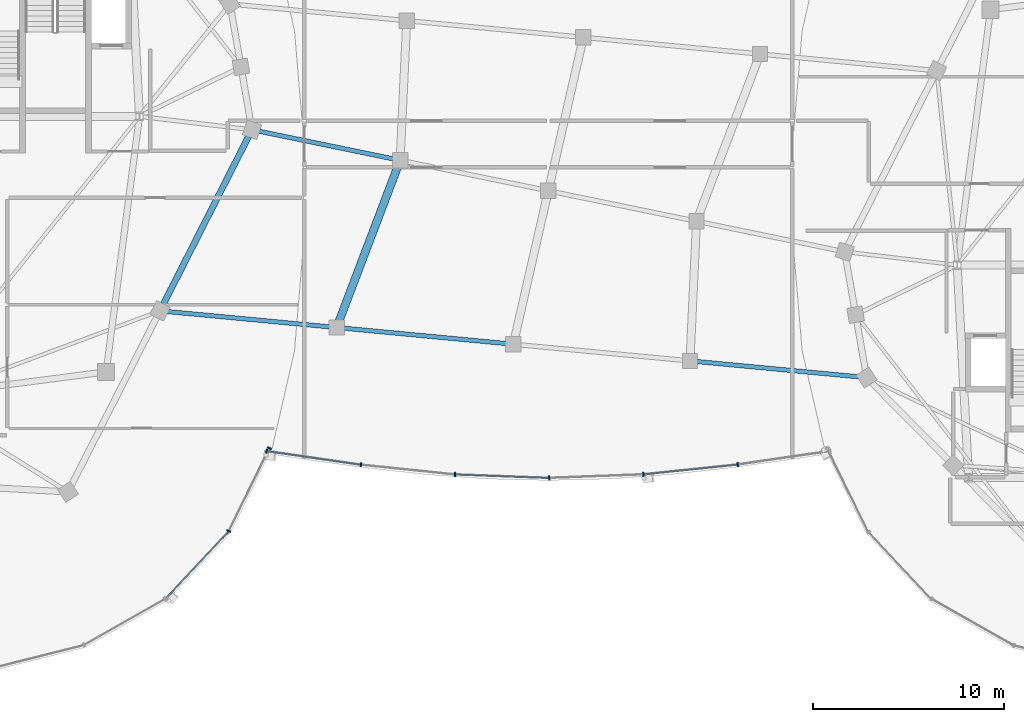
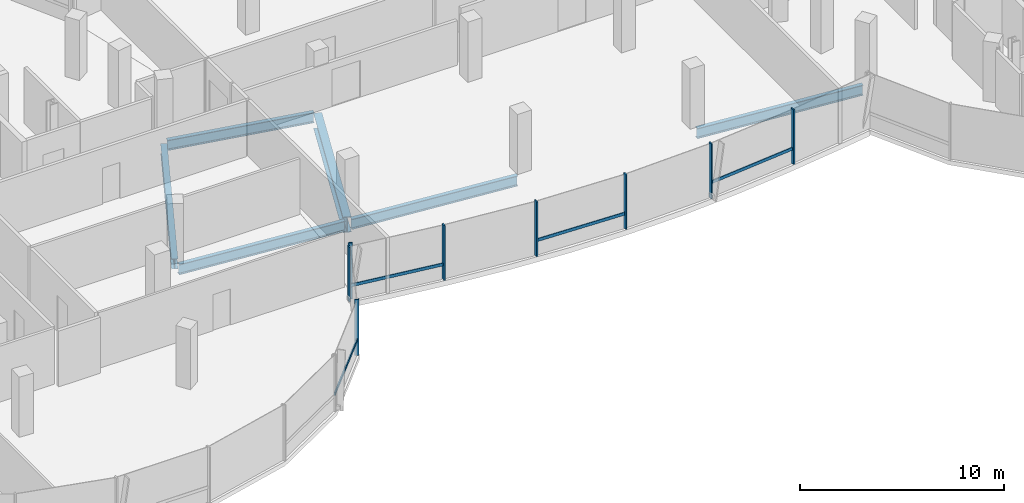
# One storey, part 4 of 25: 12 members, 6 beams, 2 elements without a shape of their own.
"""IFC4 building model written with IfcOpenShell, lengths in metres."""

from ifc_helpers import new_model, si_unit, direction, frame, origin, origin_2d, place, context, subcontext, project, spatial, rectangle, i_section, extrude, material, material_profile, profile_set, type_object, element, aggregate, save


model = new_model("IFC4")

# Units and contexts
model_context = context("Model", 3, precision=1e-05, world=origin(), true_north=direction((0.0, 1.0)))
body_context = subcontext(model_context, "Body", "Model", "MODEL_VIEW")
ifc_project = project(units=[si_unit("LENGTHUNIT", "METRE"), si_unit("AREAUNIT", "SQUARE_METRE"), si_unit("VOLUMEUNIT", "CUBIC_METRE"), si_unit("PLANEANGLEUNIT", "RADIAN"), si_unit("MASSUNIT", "GRAM", prefix="KILO"), si_unit("THERMODYNAMICTEMPERATUREUNIT", "KELVIN"), si_unit("POWERUNIT", "WATT")], contexts=[model_context])

# Site, building, storey
site_placement = place(None, origin())
site = spatial("IfcSite", under=ifc_project, at=site_placement, CompositionType="ELEMENT")
building_placement = place(site_placement, origin())
building = spatial("IfcBuilding", under=site, at=building_placement, Name="Cundina Bronze Exchange", CompositionType="ELEMENT")
storey_placement = place(building_placement, frame((0.0, 0.0, 246.800048828125)))
storey = spatial("IfcBuildingStorey", under=building, at=storey_placement, Name="L65", CompositionType="ELEMENT", Elevation=246.800048828125)

# Beams
ifc_material_1 = material(Name="Steel ASTM A992 Grade 50", Category="steel")
ifc_material_profile_1 = material_profile(ifc_material_1, i_section(OverallWidth=0.22998046875, OverallDepth=0.616943359375, WebThickness=0.01318359375, FlangeThickness=0.022216796875, FilletRadius=0.013916015625, at=origin_2d()), Name="W24X94", Category="steel")
ifc_profile_set_1 = profile_set([ifc_material_profile_1], Name="Steel ASTM A992 Grade 50")
beam_type_1 = type_object("IfcBeamType", Name="BM-FLR-W24B", PredefinedType="BEAM", material=ifc_profile_set_1)
for number, where, z_axis, x_axis, name in (
    (1, (-20.19580078125, -6.31689453125, -0.628662109375), (0.995572136276, -0.094000646124, 0.0), (0.094000646124, 0.995572136276, 0.0), "L65 Sky-Gate Longitudinal Girder Y1-P1"),
    (2, (-10.927001953125, -7.19189453125, -0.628662109375), (0.995572136276, -0.094000646124, 0.0), (0.094000646124, 0.995572136276, 0.0), "L65 Sky-Gate Longitudinal Girder Y1-P2"),
):
    element("IfcBeam", number, at=place(storey_placement, frame(where, z_axis=z_axis, x_axis=x_axis)), inside=storey, type_object=beam_type_1, Name=name, PredefinedType="BEAM", context=body_context, shape_type="SweptSolid", body=[
        extrude(i_section(OverallWidth=0.22998046875, OverallDepth=0.616943359375, WebThickness=0.01318359375, FlangeThickness=0.022216796875, FilletRadius=0.013916015625, at=origin_2d()), origin(), (0.0, 0.0, 1.0), 8.949951171875),
    ])
beam_1_placement = place(storey_placement, frame((7.610595703125, -8.94189453125, -0.628662109375), z_axis=(0.995571895232, -0.094003199007, 0.0), x_axis=(0.094003199007, 0.995571895232, 0.0)))
element("IfcBeam", 3, at=beam_1_placement, inside=storey, type_object=beam_type_1, Name="L65 Sky-Gate Longitudinal Girder Y1-P4", PredefinedType="BEAM", context=body_context, shape_type="SweptSolid", body=[
    extrude(i_section(OverallWidth=0.22998046875, OverallDepth=0.616943359375, WebThickness=0.01318359375, FlangeThickness=0.022216796875, FilletRadius=0.013916015625, at=origin_2d()), origin(), (0.0, 0.0, 1.0), 8.94970703125),
])
beam_2_placement = place(storey_placement, frame((-15.373779296875, 3.163818359375, -0.628662109375), z_axis=(0.979471264571, -0.20158383338, 0.0), x_axis=(0.20158383338, 0.979471264571, 0.0)))
element("IfcBeam", 4, at=beam_2_placement, inside=storey, type_object=beam_type_1, Name="L65 Sky-Gate Longitudinal Girder Y2-P1", PredefinedType="BEAM", context=body_context, shape_type="SweptSolid", body=[
    extrude(i_section(OverallWidth=0.22998046875, OverallDepth=0.616943359375, WebThickness=0.01318359375, FlangeThickness=0.022216796875, FilletRadius=0.013916015625, at=origin_2d()), origin(), (0.0, 0.0, 1.0), 7.577880859375),
])
ifc_material_profile_2 = material_profile(ifc_material_1, i_section(OverallWidth=0.324951171875, OverallDepth=0.615966796875, WebThickness=0.013916015625, FlangeThickness=0.021484375, FilletRadius=0.01611328125, at=origin_2d()), Name="W24X117", Category="steel")
ifc_profile_set_2 = profile_set([ifc_material_profile_2], Name="Steel ASTM A992 Grade 50")
beam_type_2 = type_object("IfcBeamType", Name="BM-RING-W24", PredefinedType="USERDEFINED", material=ifc_profile_set_2)
beam_3_placement = place(storey_placement, frame((-20.19921875, -5.9541015625, -0.568115234375), z_axis=(0.452839263805, 0.891592171991, 0.0), x_axis=(-0.891592171991, 0.452839263805, 0.0)))
element("IfcBeam", 5, at=beam_3_placement, inside=storey, type_object=beam_type_2, Name="L65 W Perimeter Ring Girder 13", ObjectType="GIRDER", PredefinedType="USERDEFINED", context=body_context, shape_type="SweptSolid", body=[
    extrude(i_section(OverallWidth=0.324951171875, OverallDepth=0.615966796875, WebThickness=0.013916015625, FlangeThickness=0.021484375, FilletRadius=0.01611328125, at=origin_2d()), origin(), (0.0, 0.0, 1.0), 9.879150390625),
])
ifc_material_profile_3 = material_profile(ifc_material_1, i_section(OverallWidth=0.41796875, OverallDepth=0.927001953125, WebThickness=0.019287109375, FlangeThickness=0.031982421875, FilletRadius=0.02392578125, at=origin_2d()), Name="W36X231", Category="steel")
ifc_profile_set_3 = profile_set([ifc_material_profile_3], Name="Steel ASTM A992 Grade 50")
beam_type_3 = type_object("IfcBeamType", Name="BM-WRN-W36B", PredefinedType="USERDEFINED", material=ifc_profile_set_3)
beam_4_placement = place(storey_placement, frame((-11.042236328125, -7.006591796875, -0.783447265625), z_axis=(0.354911890514, 0.934899753969, 0.0), x_axis=(-0.934899753969, 0.354911890514, 0.0)))
element("IfcBeam", 6, at=beam_4_placement, inside=storey, type_object=beam_type_3, Name="L65 Sky-Gate Transverse Girder X1-S", ObjectType="GIRDER", PredefinedType="USERDEFINED", context=body_context, shape_type="SweptSolid", body=[
    extrude(i_section(OverallWidth=0.41796875, OverallDepth=0.927001953125, WebThickness=0.019287109375, FlangeThickness=0.031982421875, FilletRadius=0.02392578125, at=origin_2d()), origin(), (0.0, 0.0, 1.0), 9.02587890625),
])

# Curtain wall, members
ifc_material_2 = material(Name="Anodised Bronze Aluminium 6063-T6", Category="aluminium")
curtain_wall_type = type_object("IfcCurtainWallType", Name="CWS-SKG-BRG", PredefinedType="NOTDEFINED", material=ifc_material_2)
curtain_wall_1_placement = place(storey_placement, origin())
curtain_wall_1 = element("IfcCurtainWall", 7, at=curtain_wall_1_placement, inside=storey, type_object=curtain_wall_type, Name="L65 CW-06 Curtain Wall Run CWR-L65-W4", PredefinedType="NOTDEFINED")
ifc_material_profile_4 = material_profile(ifc_material_2, rectangle(XDim=0.074951171875, YDim=0.219970703125, at=origin_2d()), Name="AL75X220", Category="aluminium")
ifc_profile_set_4 = profile_set([ifc_material_profile_4], Name="Anodised Bronze Aluminium 6063-T6")
member_type_1 = type_object("IfcMemberType", Name="CWM-MUL-220", PredefinedType="MULLION", material=ifc_profile_set_4)
member_1_placement = place(storey_placement, frame((-16.7666015625, -17.856689453125, 0.0), z_axis=(0.0, 0.0, 1.0), x_axis=(0.440566004113, 0.897720221461, 0.0)))
member_1 = element("IfcMember", 8, at=member_1_placement, type_object=member_type_1, Name="CW-06 Mullion 2", PredefinedType="MULLION", context=body_context, shape_type="SweptSolid", body=[
    extrude(rectangle(XDim=0.074951171875, YDim=0.219970703125, at=origin_2d()), origin(), (0.0, 0.0, 1.0), 3.33984375),
])
member_2_placement = place(storey_placement, frame((-14.630859375, -13.50390625, 0.0), z_axis=(0.0, 0.0, 1.0), x_axis=(0.440566004113, 0.897720221461, 0.0)))
member_2 = element("IfcMember", 9, at=member_2_placement, type_object=member_type_1, Name="CW-06 End Mullion", PredefinedType="MULLION", context=body_context, shape_type="SweptSolid", body=[
    extrude(rectangle(XDim=0.074951171875, YDim=0.219970703125, at=origin_2d()), origin(), (0.0, 0.0, 1.0), 3.33984375),
])

curtain_wall_2_placement = place(storey_placement, origin())
curtain_wall_2 = element("IfcCurtainWall", 10, at=curtain_wall_2_placement, inside=storey, type_object=curtain_wall_type, Name="L65 CW-06 Curtain Wall Run CWR-L65-BRGS", PredefinedType="NOTDEFINED")
member_3_placement = place(storey_placement, frame((-14.779296875, -13.658935546875, 0.0), z_axis=(0.0, 0.0, 1.0), x_axis=(0.989525789069, -0.144356201001, 0.0)))
member_3 = element("IfcMember", 11, at=member_3_placement, type_object=member_type_1, Name="CW-06 Mullion 1", PredefinedType="MULLION", context=body_context, shape_type="SweptSolid", body=[
    extrude(rectangle(XDim=0.074951171875, YDim=0.219970703125, at=origin_2d()), origin(), (0.0, 0.0, 1.0), 3.280029296875),
])
member_4_placement = place(storey_placement, frame((-9.83447265625, -14.378173828125, 0.0), z_axis=(0.0, 0.0, 1.0), x_axis=(0.994666875153, -0.103139747302, 0.0)))
member_4 = element("IfcMember", 12, at=member_4_placement, type_object=member_type_1, Name="CW-06 Mullion 2", PredefinedType="MULLION", context=body_context, shape_type="SweptSolid", body=[
    extrude(rectangle(XDim=0.074951171875, YDim=0.219970703125, at=origin_2d()), origin(), (0.0, 0.0, 1.0), 3.280029296875),
])
member_5_placement = place(storey_placement, frame((-4.892578125, -14.88720703125, 0.0), z_axis=(0.0, 0.0, 1.0), x_axis=(0.999302568116, -0.037341362551, 0.0)))
member_5 = element("IfcMember", 13, at=member_5_placement, type_object=member_type_1, Name="CW-06 Mullion 3", PredefinedType="MULLION", context=body_context, shape_type="SweptSolid", body=[
    extrude(rectangle(XDim=0.074951171875, YDim=0.219970703125, at=origin_2d()), origin(), (0.0, 0.0, 1.0), 3.280029296875),
])
member_6_placement = place(storey_placement, frame((0.047607421875, -15.068115234375, 0.0), z_axis=(0.0, 0.0, 1.0), x_axis=(0.999302568116, 0.037341362551, 0.0)))
member_6 = element("IfcMember", 14, at=member_6_placement, type_object=member_type_1, Name="CW-06 Mullion 4", PredefinedType="MULLION", context=body_context, shape_type="SweptSolid", body=[
    extrude(rectangle(XDim=0.074951171875, YDim=0.219970703125, at=origin_2d()), origin(), (0.0, 0.0, 1.0), 3.280029296875),
])
member_7_placement = place(storey_placement, frame((4.98876953125, -14.88037109375, 0.0), z_axis=(0.0, 0.0, 1.0), x_axis=(0.994666875153, 0.103139747302, 0.0)))
member_7 = element("IfcMember", 15, at=member_7_placement, type_object=member_type_1, Name="CW-06 Mullion 5", PredefinedType="MULLION", context=body_context, shape_type="SweptSolid", body=[
    extrude(rectangle(XDim=0.074951171875, YDim=0.219970703125, at=origin_2d()), origin(), (0.0, 0.0, 1.0), 3.280029296875),
])
member_8_placement = place(storey_placement, frame((9.93310546875, -14.36572265625, 0.0), z_axis=(0.0, 0.0, 1.0), x_axis=(0.989525789069, 0.144356201001, 0.0)))
member_8 = element("IfcMember", 16, at=member_8_placement, type_object=member_type_1, Name="CW-06 Mullion 6", PredefinedType="MULLION", context=body_context, shape_type="SweptSolid", body=[
    extrude(rectangle(XDim=0.074951171875, YDim=0.219970703125, at=origin_2d()), origin(), (0.0, 0.0, 1.0), 3.280029296875),
])

# Member
ifc_material_profile_5 = material_profile(ifc_material_2, rectangle(XDim=0.070068359375, YDim=0.179931640625, at=origin_2d()), Name="AL70X180", Category="aluminium")
ifc_profile_set_5 = profile_set([ifc_material_profile_5], Name="Anodised Bronze Aluminium 6063-T6")
member_type_2 = type_object("IfcMemberType", Name="CWM-TRN-180", PredefinedType="USERDEFINED", material=ifc_profile_set_5)
member_9_placement = place(storey_placement, frame((-20.031494140625, -21.349609375, 0.919921875), z_axis=(0.684328474899, 0.729173873944, 0.0), x_axis=(-0.729173873944, 0.684328474899, 0.0)))
member_9 = element("IfcMember", 17, at=member_9_placement, type_object=member_type_2, Name="CW-06 Spandrel Transom 1", ObjectType="TRANSOM", PredefinedType="USERDEFINED", context=body_context, shape_type="SweptSolid", body=[
    extrude(rectangle(XDim=0.070068359375, YDim=0.179931640625, at=origin_2d()), origin(), (0.0, 0.0, 1.0), 4.758056640625),
])

aggregate(curtain_wall_1, [member_9, member_1, member_2])

member_10_placement = place(storey_placement, frame((-14.738525390625, -13.664794921875, 0.91845703125), z_axis=(0.989531497997, -0.144317062302, 0.0), x_axis=(0.144317062302, 0.989531497997, 0.0)))
member_10 = element("IfcMember", 18, at=member_10_placement, type_object=member_type_2, Name="CW-06 Spandrel Transom 1", ObjectType="TRANSOM", PredefinedType="USERDEFINED", context=body_context, shape_type="SweptSolid", body=[
    extrude(rectangle(XDim=0.070068359375, YDim=0.179931640625, at=origin_2d()), origin(), (0.0, 0.0, 1.0), 4.8974609375),
])

member_11_placement = place(storey_placement, frame((-4.8515625, -14.888671875, 0.91845703125), z_axis=(0.999303683555, -0.037311500026, 0.0), x_axis=(0.037311500026, 0.999303683555, 0.0)))
member_11 = element("IfcMember", 19, at=member_11_placement, type_object=member_type_2, Name="CW-06 Spandrel Transom 3", ObjectType="TRANSOM", PredefinedType="USERDEFINED", context=body_context, shape_type="SweptSolid", body=[
    extrude(rectangle(XDim=0.070068359375, YDim=0.179931640625, at=origin_2d()), origin(), (0.0, 0.0, 1.0), 4.8486328125),
])

member_12_placement = place(storey_placement, frame((5.02978515625, -14.8759765625, 0.91845703125), z_axis=(0.994672497027, 0.103085516243, 0.0), x_axis=(-0.103085516243, 0.994672497027, 0.0)))
member_12 = element("IfcMember", 20, at=member_12_placement, type_object=member_type_2, Name="CW-06 Spandrel Transom 5", ObjectType="TRANSOM", PredefinedType="USERDEFINED", context=body_context, shape_type="SweptSolid", body=[
    extrude(rectangle(XDim=0.070068359375, YDim=0.179931640625, at=origin_2d()), origin(), (0.0, 0.0, 1.0), 4.87158203125),
])

aggregate(curtain_wall_2, [member_3, member_10, member_4, member_5, member_11, member_6, member_7, member_12, member_8])

save(model, "model.ifc")
